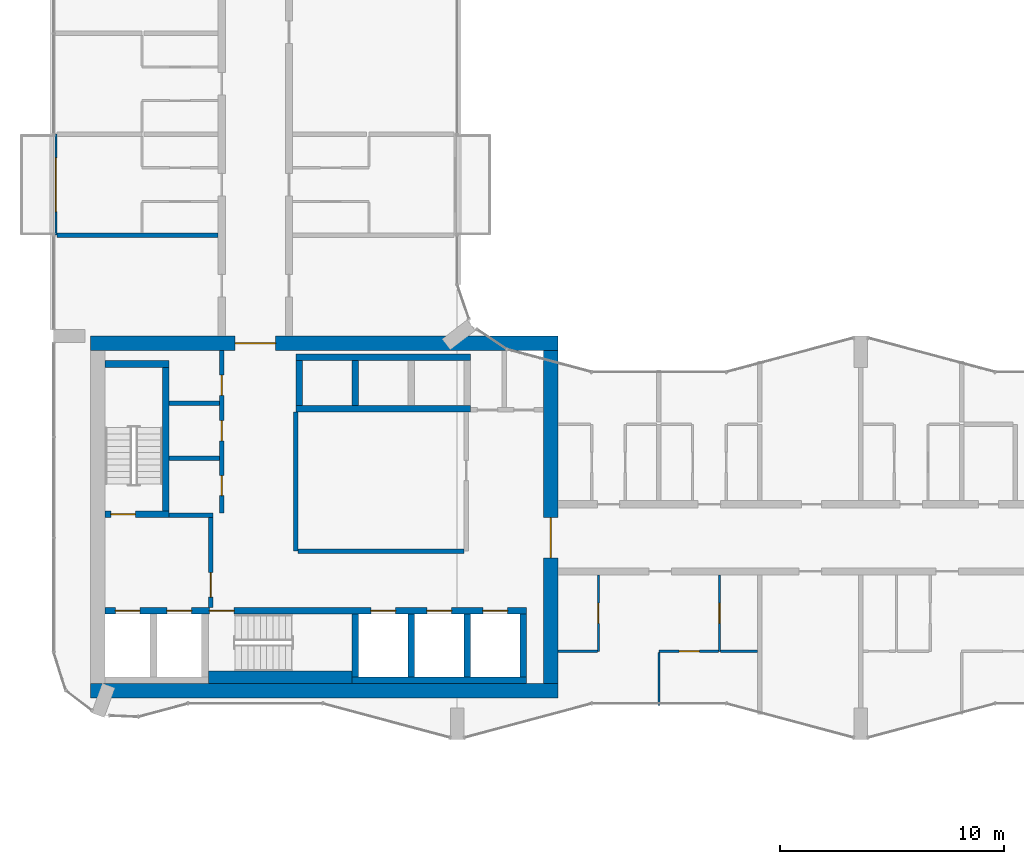
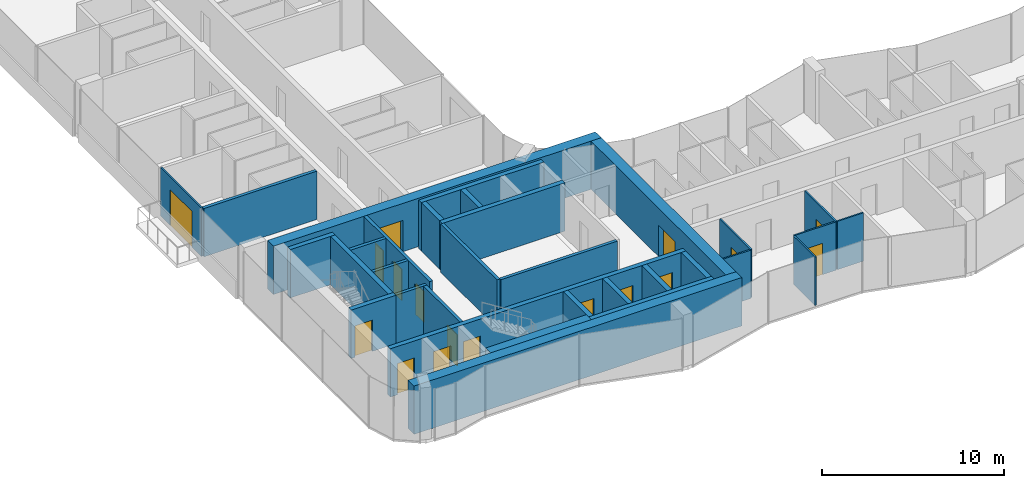
# One storey, part 13 of 22: 32 walls, 17 doors, 17 openings.
"""IFC4 building model written with IfcOpenShell, lengths in metres."""

import ifcopenshell
import ifcopenshell.guid

model = None  # the IFC model being written
_history = None  # IfcOwnerHistory: only IFC2X3 demands one
_inside = {}  # id of a spatial element -> (the spatial element, [elements in it])
_under = {}  # id of a project, library or spatial element -> (it, [spatial elements below it])
_declared = {}  # id of a project -> (the project, [libraries it declares])
_typed = {}  # id of a type object -> (the type object, [elements of that type])
_made_of = {}  # id of a material, layer set ... -> (it, [elements and type objects made of it])


def new_model(schema):
    """Start an empty IFC model of exactly this schema.

    Asked for "IFC4X3", IfcOpenShell would pick the latest addendum, in which some entities
    have other attributes; the version numbers below select the first issue.
    IFC2X3 requires an IfcOwnerHistory on every rooted entity: one is made here for all.
    """
    global model, _history
    if schema == "IFC4X3":
        model = ifcopenshell.file(schema_version=(4, 3, 0, 0))
    else:
        model = ifcopenshell.file(schema=schema)
    _inside.clear()
    _under.clear()
    _declared.clear()
    _typed.clear()
    _made_of.clear()
    _history = None
    if model.schema == "IFC2X3":
        org = make("IfcOrganization", Name="unknown")
        user = make(
            "IfcPersonAndOrganization",
            ThePerson=make("IfcPerson", FamilyName="unknown"),
            TheOrganization=org,
        )
        app = make(
            "IfcApplication",
            ApplicationDeveloper=org,
            Version="unknown",
            ApplicationFullName="unknown",
            ApplicationIdentifier="unknown",
        )
        _history = make(
            "IfcOwnerHistory",
            OwningUser=user,
            OwningApplication=app,
            ChangeAction="ADDED",
            CreationDate=0,
        )
    return model


def make(cls, **values):
    """One entity of the class cls with the attributes given. An attribute that is None is left unset."""
    return model.create_entity(
        cls, **{name: value for name, value in values.items() if value is not None}
    )


def rooted(cls, **values):
    """An entity with a GlobalId (a new one), such as an element, a storey or a relation."""
    return make(cls, GlobalId=ifcopenshell.guid.new(), OwnerHistory=_history, **values)


def si_unit(unit_type, name, prefix=None):
    """IfcSIUnit, for example si_unit("LENGTHUNIT", "METRE", prefix="MILLI")."""
    return make("IfcSIUnit", UnitType=unit_type, Prefix=prefix, Name=name)


def assignment(units):
    """IfcUnitAssignment: the units of a project."""
    return None if units is None else make("IfcUnitAssignment", Units=units)


def point(xyz):
    """IfcCartesianPoint."""
    return None if xyz is None else make("IfcCartesianPoint", Coordinates=xyz)


def direction(xyz):
    """IfcDirection."""
    return None if xyz is None else make("IfcDirection", DirectionRatios=xyz)


def frame(location, z_axis=None, x_axis=None):
    """IfcAxis2Placement3D, a coordinate frame: its origin and axes. An axis left out is left unset."""
    return make(
        "IfcAxis2Placement3D",
        Location=point(location),
        Axis=direction(z_axis),
        RefDirection=direction(x_axis),
    )


def frame_2d(location, x_axis=None):
    """IfcAxis2Placement2D, a coordinate frame in the plane: its origin and x axis."""
    return make(
        "IfcAxis2Placement2D", Location=point(location), RefDirection=direction(x_axis)
    )


def origin():
    """The frame at (0, 0, 0) with its axes left unset."""
    return frame((0.0, 0.0, 0.0))


def place(relative_to, where):
    """IfcLocalPlacement: puts the frame where relative to a parent placement (None: the world)."""
    return make(
        "IfcLocalPlacement", PlacementRelTo=relative_to, RelativePlacement=where
    )


def context(
    kind, dimensions, precision=None, world=None, true_north=None, identifier=None
):
    """IfcGeometricRepresentationContext, for example the 3D "Model" context."""
    return make(
        "IfcGeometricRepresentationContext",
        ContextIdentifier=identifier,
        ContextType=kind,
        CoordinateSpaceDimension=dimensions,
        Precision=precision,
        WorldCoordinateSystem=world,
        TrueNorth=true_north,
    )


def subcontext(parent, identifier, kind, view, scale=None):
    """IfcGeometricRepresentationSubContext, for example "Body" below "Model"."""
    return make(
        "IfcGeometricRepresentationSubContext",
        ContextIdentifier=identifier,
        ContextType=kind,
        ParentContext=parent,
        TargetScale=scale,
        TargetView=view,
    )


def project(units=None, contexts=None):
    """IfcProject with its units and contexts."""
    return rooted(
        "IfcProject",
        Name="project",
        RepresentationContexts=contexts,
        UnitsInContext=assignment(units),
    )


def spatial(cls, under=None, at=None, **own):
    """A site, building, storey or space (cls), placed at a placement, below another one or the project."""
    s = rooted(cls, ObjectPlacement=at, **own)
    if under is not None:
        _under.setdefault(under.id(), (under, []))[1].append(s)
    return s


def profile(cls, at=None, kind="AREA", **sizes):
    """A parametric profile (cls). Its sizes go by their IFC names, for example OverallWidth=200.0."""
    return make(cls, ProfileType=kind, Position=at, **sizes)


def rectangle(**sizes):
    """IfcRectangleProfileDef."""
    return profile("IfcRectangleProfileDef", **sizes)


def extrude(swept, where, along, depth):
    """IfcExtrudedAreaSolid: the profile swept, set in the frame where, extruded along a direction by depth."""
    return make(
        "IfcExtrudedAreaSolid",
        SweptArea=swept,
        Position=where,
        ExtrudedDirection=direction(along),
        Depth=depth,
    )


def shape(context_of_items, identifier, shape_type, items):
    """IfcShapeRepresentation: the items that make up one representation, for example the "Body"."""
    return make(
        "IfcShapeRepresentation",
        ContextOfItems=context_of_items,
        RepresentationIdentifier=identifier,
        RepresentationType=shape_type,
        Items=items,
    )


def material(Name=None, Category=None):
    """IfcMaterial."""
    return make("IfcMaterial", Name=Name, Category=Category)


def layer(
    of_material, thickness, ventilated=None, Name=None, Category=None, Priority=None
):
    """IfcMaterialLayer: one layer of a wall or slab, of a material (None: an air gap)."""
    return make(
        "IfcMaterialLayer",
        Material=of_material,
        LayerThickness=thickness,
        IsVentilated=ventilated,
        Name=Name,
        Category=Category,
        Priority=Priority,
    )


def layer_set(layers, Name=None):
    """IfcMaterialLayerSet."""
    return make("IfcMaterialLayerSet", MaterialLayers=layers, LayerSetName=Name)


def made_of(thing, what):
    """Note that an element or type object is made of a material, layer set ...; save() writes the relation."""
    if what is not None:
        _made_of.setdefault(what.id(), (what, []))[1].append(thing)
    return thing


def type_object(cls, material=None, **own):
    """A type object (cls), such as IfcWallType, which elements share."""
    return made_of(rooted(cls, **own), material)


def element(
    cls,
    number,
    at=None,
    inside=None,
    cuts=None,
    type_object=None,
    material=None,
    context=None,
    identifier="Body",
    shape_type=None,
    held_by="IfcProductDefinitionShape",
    body=None,
    shapes=None,
    **own,
):
    """One element of the class cls, such as IfcWall. Its Tag is "e" and its number.

    at: its placement. inside: the storey or other place that contains it. cuts: it is an
    opening in that element (IfcRelVoidsElement). A single representation is given by context,
    identifier, shape_type and body (its items); several are given by shapes. held_by: the class
    of the entity that holds the representations. save() writes the other relations.
    """
    e = rooted(cls, Tag="e%d" % number, ObjectPlacement=at, **own)
    if body is not None:
        shapes = [shape(context, identifier, shape_type, body)]
    if shapes is not None:
        e.Representation = make(held_by, Representations=shapes)
    if inside is not None:
        _inside.setdefault(inside.id(), (inside, []))[1].append(e)
    if cuts is not None:
        rooted(
            "IfcRelVoidsElement", RelatingBuildingElement=cuts, RelatedOpeningElement=e
        )
    if type_object is not None:
        _typed.setdefault(type_object.id(), (type_object, []))[1].append(e)
    return made_of(e, material)


def fill(opening, filler):
    """IfcRelFillsElement: the door or window that sits in an opening."""
    return rooted(
        "IfcRelFillsElement",
        RelatingOpeningElement=opening,
        RelatedBuildingElement=filler,
    )


def aggregate(whole, parts):
    """IfcRelAggregates: a whole, such as a stair, and the parts it consists of."""
    return rooted("IfcRelAggregates", RelatingObject=whole, RelatedObjects=parts)


def save(model, path):
    """Write the relations noted so far, then the file.

    IfcRelAggregates (storeys below a building ...), IfcRelContainedInSpatialStructure (elements
    in a storey), IfcRelDefinesByType, IfcRelAssociatesMaterial and IfcRelDeclares: one each for
    every whole, place, type object, material and project.
    """
    for whole, parts in _under.values():
        aggregate(whole, parts)
    for where, things in _inside.values():
        rooted(
            "IfcRelContainedInSpatialStructure",
            RelatedElements=things,
            RelatingStructure=where,
        )
    for kind, things in _typed.values():
        rooted("IfcRelDefinesByType", RelatedObjects=things, RelatingType=kind)
    for what, things in _made_of.values():
        rooted("IfcRelAssociatesMaterial", RelatedObjects=things, RelatingMaterial=what)
    for by, libraries in _declared.values():
        rooted("IfcRelDeclares", RelatingContext=by, RelatedDefinitions=libraries)
    model.write(path)


model = new_model("IFC4")

# Units and contexts
model_context = context("Model", 3, precision=1e-05, world=origin(), true_north=direction((0.0, 1.0)))
body_context = subcontext(model_context, "Body", "Model", "MODEL_VIEW")
ifc_project = project(units=[si_unit("LENGTHUNIT", "METRE"), si_unit("AREAUNIT", "SQUARE_METRE"), si_unit("VOLUMEUNIT", "CUBIC_METRE"), si_unit("PLANEANGLEUNIT", "RADIAN"), si_unit("MASSUNIT", "GRAM", prefix="KILO")], contexts=[model_context])

# Site, building, storey
site_placement = place(None, origin())
site = spatial("IfcSite", under=ifc_project, at=site_placement, CompositionType="ELEMENT")
building_placement = place(site_placement, origin())
building = spatial("IfcBuilding", under=site, at=building_placement, Name="Plateau Cross Towers", CompositionType="ELEMENT")
storey_placement = place(building_placement, frame((0.0, 0.0, 106.300048828125)))
storey = spatial("IfcBuildingStorey", under=building, at=storey_placement, Name="L27", CompositionType="ELEMENT", Elevation=106.300048828125)

# Wall, opening, door
ifc_material_1 = material(Name="Aluminium framed glazing", Category="aluminium")
ifc_layer_1 = layer(ifc_material_1, 0.10009765625)
ifc_layer_set_1 = layer_set([ifc_layer_1], Name="Aluminium framed glazing")
wall_type_1 = type_object("IfcWallType", Name="Balcony screen wall 100", PredefinedType="STANDARD", material=ifc_layer_set_1)
wall_1_placement = place(storey_placement, frame((0.10009765625, 22.5, 0.0), z_axis=(0.0, 0.0, 1.0), x_axis=(0.0, 1.0, 0.0)))
wall_1 = element("IfcWall", 1, at=wall_1_placement, inside=storey, type_object=wall_type_1, Name="Balcony screen wall A-BAL-L27-01", PredefinedType="STANDARD", context=body_context, shape_type="SweptSolid", body=[
    extrude(rectangle(XDim=4.5, YDim=0.10009765625, at=frame_2d((2.25, 0.0))), origin(), (0.0, 0.0, 1.0), 3.25),
])
opening_1_placement = place(wall_1_placement, frame((1.050048828125, 0.0, 0.0)))
opening_1 = element("IfcOpeningElement", 2, at=opening_1_placement, cuts=wall_1, Name="Opening D-B24", PredefinedType="OPENING", context=body_context, shape_type="SweptSolid", body=[
    extrude(rectangle(XDim=2.39990234375, YDim=2.39990234375, at=frame_2d((1.199951171875, 1.199951171875))), frame((0.0, 0.06005859375, 0.0), z_axis=(0.0, -1.0, 0.0), x_axis=(1.0, 0.0, 0.0)), (0.0, 0.0, 1.0), 0.1201171875),
])
ifc_material_2 = material(Name="Aluminium frame, double glazing", Category="aluminium")
door_type_1 = type_object("IfcDoorType", Name="Balcony sliding door 2400", OperationType="NOTDEFINED", PredefinedType="DOOR", material=ifc_material_2)
door_1_placement = place(opening_1_placement, origin())
door_1 = element("IfcDoor", 3, at=door_1_placement, inside=storey, type_object=door_type_1, Name="Balcony door A-BAL-L27-01", OperationType="SINGLE_SWING_LEFT", OverallHeight=2.39990234375, OverallWidth=2.39990234375, PredefinedType="DOOR", context=body_context, shape_type="SweptSolid", body=[
    extrude(rectangle(XDim=2.39990234375, YDim=2.39990234375, at=frame_2d((1.199951171875, 1.199951171875))), frame((0.0, 0.02490234375, 0.0), z_axis=(0.0, -1.0, 0.0), x_axis=(1.0, 0.0, 0.0)), (0.0, 0.0, 1.0), 0.050048828125),
])
fill(opening_1, door_1)

ifc_material_3 = material(Name="Concrete block, plastered both sides", Category="concrete")
ifc_layer_2 = layer(ifc_material_3, 0.199951171875)
ifc_layer_set_2 = layer_set([ifc_layer_2], Name="Concrete block, plastered both sides")
wall_type_2 = type_object("IfcWallType", Name="Core partition 200", PredefinedType="PARTITIONING", material=ifc_layer_set_2)
wall_2_placement = place(storey_placement, frame((7.0, 5.89990234375, 0.0), z_axis=(0.0, 0.0, 1.0), x_axis=(0.0, 1.0, 0.0)))
wall_2 = element("IfcWall", 4, at=wall_2_placement, inside=storey, type_object=wall_type_2, Name="Core partition", PredefinedType="PARTITIONING", context=body_context, shape_type="SweptSolid", body=[
    extrude(rectangle(XDim=4.0, YDim=0.199951171875, at=frame_2d((2.0, 0.0))), origin(), (0.0, 0.0, 1.0), 3.25),
])
opening_2_placement = place(wall_2_placement, frame((0.449951171875, 0.0, 0.0)))
opening_2 = element("IfcOpeningElement", 5, at=opening_2_placement, cuts=wall_2, Name="Opening FFD", PredefinedType="OPENING", context=body_context, shape_type="SweptSolid", body=[
    extrude(rectangle(XDim=1.10009765625, YDim=2.10009765625, at=frame_2d((0.550048828125, 1.050048828125))), frame((0.0, 0.10986328125, 0.0), z_axis=(0.0, -1.0, 0.0), x_axis=(1.0, 0.0, 0.0)), (0.0, 0.0, 1.0), 0.219970703125),
])
ifc_material_4 = material(Name="Steel, fire-resisting leaf", Category="steel")
door_type_2 = type_object("IfcDoorType", Name="Firefighting lobby door 1100", OperationType="NOTDEFINED", PredefinedType="DOOR", material=ifc_material_4)
door_2_placement = place(opening_2_placement, origin())
door_2 = element("IfcDoor", 6, at=door_2_placement, inside=storey, type_object=door_type_2, Name="Firefighting lobby door FFD", OperationType="SINGLE_SWING_LEFT", OverallHeight=2.10009765625, OverallWidth=1.10009765625, PredefinedType="DOOR", context=body_context, shape_type="SweptSolid", body=[
    extrude(rectangle(XDim=1.10009765625, YDim=2.10009765625, at=frame_2d((0.550048828125, 1.050048828125))), frame((0.0, 0.02490234375, 0.0), z_axis=(0.0, -1.0, 0.0), x_axis=(1.0, 0.0, 0.0)), (0.0, 0.0, 1.0), 0.050048828125),
])
fill(opening_2, door_2)

# Walls
wall_3_placement = place(storey_placement, frame((5.14990234375, 10.0, 0.0), z_axis=(0.0, 0.0, 1.0), x_axis=(1.0, 0.0, 0.0)))
element("IfcWall", 7, at=wall_3_placement, inside=storey, type_object=wall_type_2, Name="Core partition", PredefinedType="PARTITIONING", context=body_context, shape_type="SweptSolid", body=[
    extrude(rectangle(XDim=1.9501953125, YDim=0.199951171875, at=frame_2d((0.97509765625, 0.0))), origin(), (0.0, 0.0, 1.0), 3.25),
])
wall_4_placement = place(storey_placement, frame((10.800048828125, 8.39990234375, 0.0), z_axis=(0.0, 0.0, 1.0), x_axis=(0.0, 1.0, 0.0)))
element("IfcWall", 8, at=wall_4_placement, inside=storey, type_object=wall_type_2, Name="Core partition", PredefinedType="PARTITIONING", context=body_context, shape_type="SweptSolid", body=[
    extrude(rectangle(XDim=6.2001953125, YDim=0.199951171875, at=frame_2d((3.10009765625, 0.0))), origin(), (0.0, 0.0, 1.0), 3.25),
])
wall_5_placement = place(storey_placement, frame((10.89990234375, 8.39990234375, 0.0), z_axis=(0.0, 0.0, 1.0), x_axis=(1.0, 0.0, 0.0)))
element("IfcWall", 9, at=wall_5_placement, inside=storey, type_object=wall_type_2, Name="Core partition", PredefinedType="PARTITIONING", context=body_context, shape_type="SweptSolid", body=[
    extrude(rectangle(XDim=7.400146484375, YDim=0.199951171875, at=frame_2d((3.7001953125, 0.0))), origin(), (0.0, 0.0, 1.0), 3.25),
])

# Wall, openings, doors
wall_6_placement = place(storey_placement, frame((7.5, 10.10009765625, 0.0), z_axis=(0.0, 0.0, 1.0), x_axis=(0.0, 1.0, 0.0)))
wall_6 = element("IfcWall", 10, at=wall_6_placement, inside=storey, type_object=wall_type_2, Name="Core partition", PredefinedType="PARTITIONING", context=body_context, shape_type="SweptSolid", body=[
    extrude(rectangle(XDim=7.25, YDim=0.199951171875, at=frame_2d((3.625, 0.0))), origin(), (0.0, 0.0, 1.0), 3.25),
])
opening_3_placement = place(wall_6_placement, frame((0.77490234375, 0.0, 0.0)))
opening_3 = element("IfcOpeningElement", 11, at=opening_3_placement, cuts=wall_6, Name="Opening RD1", PredefinedType="OPENING", context=body_context, shape_type="SweptSolid", body=[
    extrude(rectangle(XDim=0.89990234375, YDim=2.10009765625, at=frame_2d((0.449951171875, 1.050048828125))), frame((0.0, 0.10986328125, 0.0), z_axis=(0.0, -1.0, 0.0), x_axis=(1.0, 0.0, 0.0)), (0.0, 0.0, 1.0), 0.219970703125),
])
opening_4_placement = place(wall_6_placement, frame((3.22509765625, 0.0, 0.0)))
opening_4 = element("IfcOpeningElement", 12, at=opening_4_placement, cuts=wall_6, Name="Opening RD1", PredefinedType="OPENING", context=body_context, shape_type="SweptSolid", body=[
    extrude(rectangle(XDim=0.89990234375, YDim=2.10009765625, at=frame_2d((0.449951171875, 1.050048828125))), frame((0.0, 0.10986328125, 0.0), z_axis=(0.0, -1.0, 0.0), x_axis=(1.0, 0.0, 0.0)), (0.0, 0.0, 1.0), 0.219970703125),
])
opening_5_placement = place(wall_6_placement, frame((5.25, 0.0, 0.0)))
opening_5 = element("IfcOpeningElement", 13, at=opening_5_placement, cuts=wall_6, Name="Opening RD1", PredefinedType="OPENING", context=body_context, shape_type="SweptSolid", body=[
    extrude(rectangle(XDim=0.89990234375, YDim=2.10009765625, at=frame_2d((0.449951171875, 1.050048828125))), frame((0.0, 0.10986328125, 0.0), z_axis=(0.0, -1.0, 0.0), x_axis=(1.0, 0.0, 0.0)), (0.0, 0.0, 1.0), 0.219970703125),
])
ifc_material_5 = material(Name="Timber, fire-resisting leaf", Category="wood")
door_type_3 = type_object("IfcDoorType", Name="Core service door 900", OperationType="NOTDEFINED", PredefinedType="DOOR", material=ifc_material_5)
door_3_placement = place(opening_3_placement, origin())
door_3 = element("IfcDoor", 14, at=door_3_placement, inside=storey, type_object=door_type_3, Name="Core service door RD1", OperationType="SINGLE_SWING_RIGHT", OverallHeight=2.10009765625, OverallWidth=0.89990234375, PredefinedType="DOOR", context=body_context, shape_type="SweptSolid", body=[
    extrude(rectangle(XDim=0.89990234375, YDim=2.10009765625, at=frame_2d((0.449951171875, 1.050048828125))), frame((0.0, 0.02490234375, 0.0), z_axis=(0.0, -1.0, 0.0), x_axis=(1.0, 0.0, 0.0)), (0.0, 0.0, 1.0), 0.050048828125),
])
fill(opening_3, door_3)
door_4_placement = place(opening_4_placement, origin())
door_4 = element("IfcDoor", 15, at=door_4_placement, inside=storey, type_object=door_type_3, Name="Core service door RD1", OperationType="SINGLE_SWING_RIGHT", OverallHeight=2.10009765625, OverallWidth=0.89990234375, PredefinedType="DOOR", context=body_context, shape_type="SweptSolid", body=[
    extrude(rectangle(XDim=0.89990234375, YDim=2.10009765625, at=frame_2d((0.449951171875, 1.050048828125))), frame((0.0, 0.02490234375, 0.0), z_axis=(0.0, -1.0, 0.0), x_axis=(1.0, 0.0, 0.0)), (0.0, 0.0, 1.0), 0.050048828125),
])
fill(opening_4, door_4)
door_5_placement = place(opening_5_placement, origin())
door_5 = element("IfcDoor", 16, at=door_5_placement, inside=storey, type_object=door_type_3, Name="Core service door RD1", OperationType="SINGLE_SWING_RIGHT", OverallHeight=2.10009765625, OverallWidth=0.89990234375, PredefinedType="DOOR", context=body_context, shape_type="SweptSolid", body=[
    extrude(rectangle(XDim=0.89990234375, YDim=2.10009765625, at=frame_2d((0.449951171875, 1.050048828125))), frame((0.0, 0.02490234375, 0.0), z_axis=(0.0, -1.0, 0.0), x_axis=(1.0, 0.0, 0.0)), (0.0, 0.0, 1.0), 0.050048828125),
])
fill(opening_5, door_5)

# Walls
for number, where, z_axis, x_axis, name in (
    (17, (5.14990234375, 12.550048828125, 0.0), (0.0, 0.0, 1.0), (1.0, 0.0, 0.0), "Core partition"),
    (18, (5.14990234375, 15.0, 0.0), (0.0, 0.0, 1.0), (1.0, 0.0, 0.0), "Core partition"),
):
    element("IfcWall", number, at=place(storey_placement, frame(where, z_axis=z_axis, x_axis=x_axis)), inside=storey, type_object=wall_type_2, Name=name, PredefinedType="PARTITIONING", context=body_context, shape_type="SweptSolid", body=[
        extrude(rectangle(XDim=2.25, YDim=0.199951171875, at=frame_2d((1.125, 0.0))), origin(), (0.0, 0.0, 1.0), 3.25),
    ])
ifc_material_6 = material(Name="Concrete C60/75", Category="concrete")
ifc_layer_3 = layer(ifc_material_6, 0.300048828125)
ifc_layer_set_3 = layer_set([ifc_layer_3], Name="Concrete C60/75")
wall_type_3 = type_object("IfcWallType", Name="Core shaft wall 300", PredefinedType="SHEAR", material=ifc_layer_set_3)
wall_7_placement = place(storey_placement, frame((13.300048828125, 2.64990234375, 0.0), z_axis=(0.0, 0.0, 1.0), x_axis=(1.0, 0.0, 0.0)))
element("IfcWall", 19, at=wall_7_placement, inside=storey, type_object=wall_type_3, Name="A-sb-back3@L27", PredefinedType="SHEAR", context=body_context, shape_type="SweptSolid", body=[
    extrude(rectangle(XDim=7.800048828125, YDim=0.300048828125, at=frame_2d((3.89990234375, 0.0))), origin(), (0.0, 0.0, 1.0), 3.25),
])
for number, where, z_axis, x_axis, name in (
    (20, (13.449951171875, 2.800048828125, 0.0), (0.0, 0.0, 1.0), (0.0, 1.0, 0.0), "A-sb-v3@L27"),
    (21, (15.949951171875, 2.800048828125, 0.0), (0.0, 0.0, 1.0), (0.0, 1.0, 0.0), "A-sb-v4@L27"),
    (22, (18.449951171875, 2.800048828125, 0.0), (0.0, 0.0, 1.0), (0.0, 1.0, 0.0), "A-sb-v5@L27"),
    (23, (20.949951171875, 2.800048828125, 0.0), (0.0, 0.0, 1.0), (0.0, 1.0, 0.0), "A-sb-v6@L27"),
):
    element("IfcWall", number, at=place(storey_placement, frame(where, z_axis=z_axis, x_axis=x_axis)), inside=storey, type_object=wall_type_3, Name=name, PredefinedType="SHEAR", context=body_context, shape_type="SweptSolid", body=[
        extrude(rectangle(XDim=2.800048828125, YDim=0.300048828125, at=frame_2d((1.39990234375, 0.0))), origin(), (0.0, 0.0, 1.0), 3.25),
    ])

# Wall, openings, doors
wall_8_placement = place(storey_placement, frame((2.300048828125, 5.75, 0.0), z_axis=(0.0, 0.0, 1.0), x_axis=(1.0, 0.0, 0.0)))
wall_8 = element("IfcWall", 24, at=wall_8_placement, inside=storey, type_object=wall_type_3, Name="A-sb-front@L27", PredefinedType="SHEAR", context=body_context, shape_type="SweptSolid", body=[
    extrude(rectangle(XDim=18.800048828125, YDim=0.300048828125, at=frame_2d((9.39990234375, 0.0))), origin(), (0.0, 0.0, 1.0), 3.25),
])
opening_6_placement = place(wall_8_placement, frame((4.64990234375, 0.0, 0.0)))
opening_6 = element("IfcOpeningElement", 25, at=opening_6_placement, cuts=wall_8, Name="Opening SD", PredefinedType="OPENING", context=body_context, shape_type="SweptSolid", body=[
    extrude(rectangle(XDim=1.10009765625, YDim=2.10009765625, at=frame_2d((0.550048828125, 1.050048828125))), frame((0.0, 0.159912109375, 0.0), z_axis=(0.0, -1.0, 0.0), x_axis=(1.0, 0.0, 0.0)), (0.0, 0.0, 1.0), 0.320068359375),
])
opening_7_placement = place(wall_8_placement, frame((0.449951171875, 0.0, 0.0)))
opening_7 = element("IfcOpeningElement", 26, at=opening_7_placement, cuts=wall_8, Name="Opening LD", PredefinedType="OPENING", context=body_context, shape_type="SweptSolid", body=[
    extrude(rectangle(XDim=1.10009765625, YDim=2.10009765625, at=frame_2d((0.550048828125, 1.050048828125))), frame((0.0, 0.159912109375, 0.0), z_axis=(0.0, -1.0, 0.0), x_axis=(1.0, 0.0, 0.0)), (0.0, 0.0, 1.0), 0.320068359375),
])
opening_8_placement = place(wall_8_placement, frame((2.75, 0.0, 0.0)))
opening_8 = element("IfcOpeningElement", 27, at=opening_8_placement, cuts=wall_8, Name="Opening LD", PredefinedType="OPENING", context=body_context, shape_type="SweptSolid", body=[
    extrude(rectangle(XDim=1.10009765625, YDim=2.10009765625, at=frame_2d((0.550048828125, 1.050048828125))), frame((0.0, 0.159912109375, 0.0), z_axis=(0.0, -1.0, 0.0), x_axis=(1.0, 0.0, 0.0)), (0.0, 0.0, 1.0), 0.320068359375),
])
opening_9_placement = place(wall_8_placement, frame((11.85009765625, 0.0, 0.0)))
opening_9 = element("IfcOpeningElement", 28, at=opening_9_placement, cuts=wall_8, Name="Opening LD", PredefinedType="OPENING", context=body_context, shape_type="SweptSolid", body=[
    extrude(rectangle(XDim=1.10009765625, YDim=2.10009765625, at=frame_2d((0.550048828125, 1.050048828125))), frame((0.0, 0.159912109375, 0.0), z_axis=(0.0, -1.0, 0.0), x_axis=(1.0, 0.0, 0.0)), (0.0, 0.0, 1.0), 0.320068359375),
])
opening_10_placement = place(wall_8_placement, frame((14.35009765625, 0.0, 0.0)))
opening_10 = element("IfcOpeningElement", 29, at=opening_10_placement, cuts=wall_8, Name="Opening LD", PredefinedType="OPENING", context=body_context, shape_type="SweptSolid", body=[
    extrude(rectangle(XDim=1.10009765625, YDim=2.10009765625, at=frame_2d((0.550048828125, 1.050048828125))), frame((0.0, 0.159912109375, 0.0), z_axis=(0.0, -1.0, 0.0), x_axis=(1.0, 0.0, 0.0)), (0.0, 0.0, 1.0), 0.320068359375),
])
opening_11_placement = place(wall_8_placement, frame((16.85009765625, 0.0, 0.0)))
opening_11 = element("IfcOpeningElement", 30, at=opening_11_placement, cuts=wall_8, Name="Opening LD", PredefinedType="OPENING", context=body_context, shape_type="SweptSolid", body=[
    extrude(rectangle(XDim=1.10009765625, YDim=2.10009765625, at=frame_2d((0.550048828125, 1.050048828125))), frame((0.0, 0.159912109375, 0.0), z_axis=(0.0, -1.0, 0.0), x_axis=(1.0, 0.0, 0.0)), (0.0, 0.0, 1.0), 0.320068359375),
])
ifc_material_7 = material(Name="Stainless steel, fire-resisting sliding leaves", Category="steel")
door_type_4 = type_object("IfcDoorType", Name="Lift landing door 1100", OperationType="NOTDEFINED", PredefinedType="DOOR", material=ifc_material_7)
door_6_placement = place(opening_7_placement, origin())
door_6 = element("IfcDoor", 31, at=door_6_placement, inside=storey, type_object=door_type_4, Name="Lift landing door LD", OperationType="DOUBLE_DOOR_SLIDING", OverallHeight=2.10009765625, OverallWidth=1.10009765625, PredefinedType="DOOR", context=body_context, shape_type="SweptSolid", body=[
    extrude(rectangle(XDim=1.10009765625, YDim=2.10009765625, at=frame_2d((0.550048828125, 1.050048828125))), frame((0.0, 0.02490234375, 0.0), z_axis=(0.0, -1.0, 0.0), x_axis=(1.0, 0.0, 0.0)), (0.0, 0.0, 1.0), 0.050048828125),
])
fill(opening_7, door_6)
door_7_placement = place(opening_8_placement, origin())
door_7 = element("IfcDoor", 32, at=door_7_placement, inside=storey, type_object=door_type_4, Name="Lift landing door LD", OperationType="DOUBLE_DOOR_SLIDING", OverallHeight=2.10009765625, OverallWidth=1.10009765625, PredefinedType="DOOR", context=body_context, shape_type="SweptSolid", body=[
    extrude(rectangle(XDim=1.10009765625, YDim=2.10009765625, at=frame_2d((0.550048828125, 1.050048828125))), frame((0.0, 0.02490234375, 0.0), z_axis=(0.0, -1.0, 0.0), x_axis=(1.0, 0.0, 0.0)), (0.0, 0.0, 1.0), 0.050048828125),
])
fill(opening_8, door_7)
door_8_placement = place(opening_9_placement, origin())
door_8 = element("IfcDoor", 33, at=door_8_placement, inside=storey, type_object=door_type_4, Name="Lift landing door LD", OperationType="DOUBLE_DOOR_SLIDING", OverallHeight=2.10009765625, OverallWidth=1.10009765625, PredefinedType="DOOR", context=body_context, shape_type="SweptSolid", body=[
    extrude(rectangle(XDim=1.10009765625, YDim=2.10009765625, at=frame_2d((0.550048828125, 1.050048828125))), frame((0.0, 0.02490234375, 0.0), z_axis=(0.0, -1.0, 0.0), x_axis=(1.0, 0.0, 0.0)), (0.0, 0.0, 1.0), 0.050048828125),
])
fill(opening_9, door_8)
door_9_placement = place(opening_10_placement, origin())
door_9 = element("IfcDoor", 34, at=door_9_placement, inside=storey, type_object=door_type_4, Name="Lift landing door LD", OperationType="DOUBLE_DOOR_SLIDING", OverallHeight=2.10009765625, OverallWidth=1.10009765625, PredefinedType="DOOR", context=body_context, shape_type="SweptSolid", body=[
    extrude(rectangle(XDim=1.10009765625, YDim=2.10009765625, at=frame_2d((0.550048828125, 1.050048828125))), frame((0.0, 0.02490234375, 0.0), z_axis=(0.0, -1.0, 0.0), x_axis=(1.0, 0.0, 0.0)), (0.0, 0.0, 1.0), 0.050048828125),
])
fill(opening_10, door_9)
door_10_placement = place(opening_11_placement, origin())
door_10 = element("IfcDoor", 35, at=door_10_placement, inside=storey, type_object=door_type_4, Name="Lift landing door LD", OperationType="DOUBLE_DOOR_SLIDING", OverallHeight=2.10009765625, OverallWidth=1.10009765625, PredefinedType="DOOR", context=body_context, shape_type="SweptSolid", body=[
    extrude(rectangle(XDim=1.10009765625, YDim=2.10009765625, at=frame_2d((0.550048828125, 1.050048828125))), frame((0.0, 0.02490234375, 0.0), z_axis=(0.0, -1.0, 0.0), x_axis=(1.0, 0.0, 0.0)), (0.0, 0.0, 1.0), 0.050048828125),
])
fill(opening_11, door_10)
door_type_5 = type_object("IfcDoorType", Name="Stair door 1100", OperationType="NOTDEFINED", PredefinedType="DOOR", material=ifc_material_4)
door_11_placement = place(opening_6_placement, origin())
door_11 = element("IfcDoor", 36, at=door_11_placement, inside=storey, type_object=door_type_5, Name="Stair door SD", OperationType="SINGLE_SWING_LEFT", OverallHeight=2.10009765625, OverallWidth=1.10009765625, PredefinedType="DOOR", context=body_context, shape_type="SweptSolid", body=[
    extrude(rectangle(XDim=1.10009765625, YDim=2.10009765625, at=frame_2d((0.550048828125, 1.050048828125))), frame((0.0, 0.02490234375, 0.0), z_axis=(0.0, -1.0, 0.0), x_axis=(1.0, 0.0, 0.0)), (0.0, 0.0, 1.0), 0.050048828125),
])
fill(opening_6, door_11)

# Wall, opening, door
wall_9_placement = place(storey_placement, frame((2.300048828125, 10.050048828125, 0.0), z_axis=(0.0, 0.0, 1.0), x_axis=(1.0, 0.0, 0.0)))
wall_9 = element("IfcWall", 37, at=wall_9_placement, inside=storey, type_object=wall_type_3, Name="A-st1-S@L27", PredefinedType="SHEAR", context=body_context, shape_type="SweptSolid", body=[
    extrude(rectangle(XDim=2.849853515625, YDim=0.300048828125, at=frame_2d((1.4248046875, 0.0))), origin(), (0.0, 0.0, 1.0), 3.25),
])
opening_12_placement = place(wall_9_placement, frame((0.25, 0.0, 0.0)))
opening_12 = element("IfcOpeningElement", 38, at=opening_12_placement, cuts=wall_9, Name="Opening SD", PredefinedType="OPENING", context=body_context, shape_type="SweptSolid", body=[
    extrude(rectangle(XDim=1.10009765625, YDim=2.10009765625, at=frame_2d((0.550048828125, 1.050048828125))), frame((0.0, 0.159912109375, 0.0), z_axis=(0.0, -1.0, 0.0), x_axis=(1.0, 0.0, 0.0)), (0.0, 0.0, 1.0), 0.320068359375),
])
door_12_placement = place(opening_12_placement, origin())
door_12 = element("IfcDoor", 39, at=door_12_placement, inside=storey, type_object=door_type_5, Name="Stair door SD", OperationType="SINGLE_SWING_RIGHT", OverallHeight=2.10009765625, OverallWidth=1.10009765625, PredefinedType="DOOR", context=body_context, shape_type="SweptSolid", body=[
    extrude(rectangle(XDim=1.10009765625, YDim=2.10009765625, at=frame_2d((0.550048828125, 1.050048828125))), frame((0.0, 0.02490234375, 0.0), z_axis=(0.0, -1.0, 0.0), x_axis=(1.0, 0.0, 0.0)), (0.0, 0.0, 1.0), 0.050048828125),
])
fill(opening_12, door_12)

# Walls
wall_10_placement = place(storey_placement, frame((5.0, 10.199951171875, 0.0), z_axis=(0.0, 0.0, 1.0), x_axis=(0.0, 1.0, 0.0)))
element("IfcWall", 40, at=wall_10_placement, inside=storey, type_object=wall_type_3, Name="A-st1-E@L27", PredefinedType="SHEAR", context=body_context, shape_type="SweptSolid", body=[
    extrude(rectangle(XDim=6.400146484375, YDim=0.300048828125, at=frame_2d((3.2001953125, 0.0))), origin(), (0.0, 0.0, 1.0), 3.25),
])
wall_11_placement = place(storey_placement, frame((2.300048828125, 16.75, 0.0), z_axis=(0.0, 0.0, 1.0), x_axis=(1.0, 0.0, 0.0)))
element("IfcWall", 41, at=wall_11_placement, inside=storey, type_object=wall_type_3, Name="A-st1-N@L27", PredefinedType="SHEAR", context=body_context, shape_type="SweptSolid", body=[
    extrude(rectangle(XDim=2.849853515625, YDim=0.300048828125, at=frame_2d((1.4248046875, 0.0))), origin(), (0.0, 0.0, 1.0), 3.25),
])
for number, where, z_axis, x_axis, name in (
    (42, (10.800048828125, 17.050048828125, 0.0), (0.0, 0.0, 1.0), (1.0, 0.0, 0.0), "A-nb-back@L27"),
    (43, (10.800048828125, 14.75, 0.0), (0.0, 0.0, 1.0), (1.0, 0.0, 0.0), "A-nb-front@L27"),
):
    element("IfcWall", number, at=place(storey_placement, frame(where, z_axis=z_axis, x_axis=x_axis)), inside=storey, type_object=wall_type_3, Name=name, PredefinedType="SHEAR", context=body_context, shape_type="SweptSolid", body=[
        extrude(rectangle(XDim=7.800048828125, YDim=0.300048828125, at=frame_2d((3.89990234375, 0.0))), origin(), (0.0, 0.0, 1.0), 3.25),
    ])
for number, where, z_axis, x_axis, name in (
    (44, (10.949951171875, 14.89990234375, 0.0), (0.0, 0.0, 1.0), (0.0, 1.0, 0.0), "A-nb-v1@L27"),
    (45, (13.449951171875, 14.89990234375, 0.0), (0.0, 0.0, 1.0), (0.0, 1.0, 0.0), "A-nb-v2@L27"),
):
    element("IfcWall", number, at=place(storey_placement, frame(where, z_axis=z_axis, x_axis=x_axis)), inside=storey, type_object=wall_type_3, Name=name, PredefinedType="SHEAR", context=body_context, shape_type="SweptSolid", body=[
        extrude(rectangle(XDim=2.0, YDim=0.300048828125, at=frame_2d((1.0, 0.0))), origin(), (0.0, 0.0, 1.0), 3.25),
    ])
ifc_layer_4 = layer(ifc_material_6, 0.550048828125)
ifc_layer_set_4 = layer_set([ifc_layer_4], Name="Concrete C60/75")
wall_type_4 = type_object("IfcWallType", Name="Core shaft wall 550", PredefinedType="SHEAR", material=ifc_layer_set_4)
wall_12_placement = place(storey_placement, frame((6.89990234375, 2.77490234375, 0.0), z_axis=(0.0, 0.0, 1.0), x_axis=(1.0, 0.0, 0.0)))
element("IfcWall", 46, at=wall_12_placement, inside=storey, type_object=wall_type_4, Name="A-sb-back2@L27", PredefinedType="SHEAR", context=body_context, shape_type="SweptSolid", body=[
    extrude(rectangle(XDim=6.400146484375, YDim=0.550048828125, at=frame_2d((3.2001953125, 0.0))), origin(), (0.0, 0.0, 1.0), 3.25),
])
ifc_layer_5 = layer(ifc_material_6, 0.64990234375)
ifc_layer_set_5 = layer_set([ifc_layer_5], Name="Concrete C60/75")
wall_type_5 = type_object("IfcWallType", Name="Core shell wall 650", PredefinedType="SHEAR", material=ifc_layer_set_5)
wall_13_placement = place(storey_placement, frame((1.64990234375, 2.175048828125, 0.0), z_axis=(0.0, 0.0, 1.0), x_axis=(1.0, 0.0, 0.0)))
element("IfcWall", 47, at=wall_13_placement, inside=storey, type_object=wall_type_5, Name="A-core-S@L27", PredefinedType="SHEAR", context=body_context, shape_type="SweptSolid", body=[
    extrude(rectangle(XDim=20.85009765625, YDim=0.64990234375, at=frame_2d((10.425048828125, 0.0))), origin(), (0.0, 0.0, 1.0), 3.25),
])

# Wall, opening, door
wall_14_placement = place(storey_placement, frame((1.64990234375, 17.675048828125, 0.0), z_axis=(0.0, 0.0, 1.0), x_axis=(1.0, 0.0, 0.0)))
wall_14 = element("IfcWall", 48, at=wall_14_placement, inside=storey, type_object=wall_type_5, Name="A-core-N@L27", PredefinedType="SHEAR", context=body_context, shape_type="SweptSolid", body=[
    extrude(rectangle(XDim=20.85009765625, YDim=0.64990234375, at=frame_2d((10.425048828125, 0.0))), origin(), (0.0, 0.0, 1.0), 3.25),
])
opening_13_placement = place(wall_14_placement, frame((6.449951171875, 0.0, 0.0)))
opening_13 = element("IfcOpeningElement", 49, at=opening_13_placement, cuts=wall_14, Name="Opening CD", PredefinedType="OPENING", context=body_context, shape_type="SweptSolid", body=[
    extrude(rectangle(XDim=1.800048828125, YDim=2.10009765625, at=frame_2d((0.89990234375, 1.050048828125))), frame((0.0, 0.3349609375, 0.0), z_axis=(0.0, -1.0, 0.0), x_axis=(1.0, 0.0, 0.0)), (0.0, 0.0, 1.0), 0.669921875),
])
ifc_material_8 = material(Name="Steel, fire-resisting leaves", Category="steel")
door_type_6 = type_object("IfcDoorType", Name="Corridor door pair 1800", OperationType="NOTDEFINED", PredefinedType="DOOR", material=ifc_material_8)
door_13_placement = place(opening_13_placement, origin())
door_13 = element("IfcDoor", 50, at=door_13_placement, inside=storey, type_object=door_type_6, Name="Corridor door pair CD", OperationType="DOUBLE_DOOR_SINGLE_SWING", OverallHeight=2.10009765625, OverallWidth=1.800048828125, PredefinedType="DOOR", context=body_context, shape_type="SweptSolid", body=[
    extrude(rectangle(XDim=1.800048828125, YDim=2.10009765625, at=frame_2d((0.89990234375, 1.050048828125))), frame((0.0, 0.02490234375, 0.0), z_axis=(0.0, -1.0, 0.0), x_axis=(1.0, 0.0, 0.0)), (0.0, 0.0, 1.0), 0.050048828125),
])
fill(opening_13, door_13)

wall_15_placement = place(storey_placement, frame((22.175048828125, 2.5, 0.0), z_axis=(0.0, 0.0, 1.0), x_axis=(0.0, 1.0, 0.0)))
wall_15 = element("IfcWall", 51, at=wall_15_placement, inside=storey, type_object=wall_type_5, Name="A-core-E@L27", PredefinedType="SHEAR", context=body_context, shape_type="SweptSolid", body=[
    extrude(rectangle(XDim=14.85009765625, YDim=0.64990234375, at=frame_2d((7.425048828125, 0.0))), origin(), (0.0, 0.0, 1.0), 3.25),
])
opening_14_placement = place(wall_15_placement, frame((5.60009765625, 0.0, 0.0)))
opening_14 = element("IfcOpeningElement", 52, at=opening_14_placement, cuts=wall_15, Name="Opening CD", PredefinedType="OPENING", context=body_context, shape_type="SweptSolid", body=[
    extrude(rectangle(XDim=1.800048828125, YDim=2.10009765625, at=frame_2d((0.89990234375, 1.050048828125))), frame((0.0, 0.3349609375, 0.0), z_axis=(0.0, -1.0, 0.0), x_axis=(1.0, 0.0, 0.0)), (0.0, 0.0, 1.0), 0.669921875),
])
door_14_placement = place(opening_14_placement, origin())
door_14 = element("IfcDoor", 53, at=door_14_placement, inside=storey, type_object=door_type_6, Name="Corridor door pair CD", OperationType="DOUBLE_DOOR_SINGLE_SWING", OverallHeight=2.10009765625, OverallWidth=1.800048828125, PredefinedType="DOOR", context=body_context, shape_type="SweptSolid", body=[
    extrude(rectangle(XDim=1.800048828125, YDim=2.10009765625, at=frame_2d((0.89990234375, 1.050048828125))), frame((0.0, 0.02490234375, 0.0), z_axis=(0.0, -1.0, 0.0), x_axis=(1.0, 0.0, 0.0)), (0.0, 0.0, 1.0), 0.050048828125),
])
fill(opening_14, door_14)

ifc_material_9 = material(Name="Gypsum board on steel studs", Category="steel")
ifc_layer_6 = layer(ifc_material_9, 0.10009765625)
ifc_layer_set_6 = layer_set([ifc_layer_6], Name="Gypsum board on steel studs")
wall_type_6 = type_object("IfcWallType", Name="Flat partition 100", PredefinedType="PARTITIONING", material=ifc_layer_set_6)
wall_16_placement = place(storey_placement, frame((29.64990234375, 3.9375, 0.0), z_axis=(0.0, 0.0, 1.0), x_axis=(-1.0, 0.0, 0.0)))
wall_16 = element("IfcWall", 54, at=wall_16_placement, inside=storey, type_object=wall_type_6, Name="Partition wall", PredefinedType="PARTITIONING", context=body_context, shape_type="SweptSolid", body=[
    extrude(rectangle(XDim=2.64990234375, YDim=0.10009765625, at=frame_2d((1.324951171875, 0.0))), origin(), (0.0, 0.0, 1.0), 3.25),
])
opening_15_placement = place(wall_16_placement, frame((0.85009765625, 0.0, 0.0)))
opening_15 = element("IfcOpeningElement", 55, at=opening_15_placement, cuts=wall_16, Name="Opening 27-23", PredefinedType="OPENING", context=body_context, shape_type="SweptSolid", body=[
    extrude(rectangle(XDim=0.89990234375, YDim=2.10009765625, at=frame_2d((0.449951171875, 1.050048828125))), frame((0.0, 0.06005859375, 0.0), z_axis=(0.0, -1.0, 0.0), x_axis=(1.0, 0.0, 0.0)), (0.0, 0.0, 1.0), 0.1201171875),
])
ifc_material_10 = material(Name="Timber leaf", Category="wood")
door_type_7 = type_object("IfcDoorType", Name="Flat room door 900", OperationType="NOTDEFINED", PredefinedType="DOOR", material=ifc_material_10)
door_15_placement = place(opening_15_placement, origin())
door_15 = element("IfcDoor", 56, at=door_15_placement, inside=storey, type_object=door_type_7, Name="Door 27-23", OperationType="SINGLE_SWING_LEFT", OverallHeight=2.10009765625, OverallWidth=0.89990234375, PredefinedType="DOOR", context=body_context, shape_type="SweptSolid", body=[
    extrude(rectangle(XDim=0.89990234375, YDim=2.10009765625, at=frame_2d((0.449951171875, 1.050048828125))), frame((0.0, 0.02490234375, 0.0), z_axis=(0.0, -1.0, 0.0), x_axis=(1.0, 0.0, 0.0)), (0.0, 0.0, 1.0), 0.050048828125),
])
fill(opening_15, door_15)

# Walls
wall_17_placement = place(storey_placement, frame((22.5, 3.9375, 0.0), z_axis=(0.0, 0.0, 1.0), x_axis=(1.0, 0.0, 0.0)))
element("IfcWall", 57, at=wall_17_placement, inside=storey, type_object=wall_type_6, Name="Partition wall", PredefinedType="PARTITIONING", context=body_context, shape_type="SweptSolid", body=[
    extrude(rectangle(XDim=1.75, YDim=0.10009765625, at=frame_2d((0.875, 0.0))), origin(), (0.0, 0.0, 1.0), 3.25),
])
wall_18_placement = place(storey_placement, frame((29.75, 3.9375, 0.0), z_axis=(0.0, 0.0, 1.0), x_axis=(1.0, 0.0, 0.0)))
element("IfcWall", 58, at=wall_18_placement, inside=storey, type_object=wall_type_6, Name="Partition wall", PredefinedType="PARTITIONING", context=body_context, shape_type="SweptSolid", body=[
    extrude(rectangle(XDim=1.64990234375, YDim=0.10009765625, at=frame_2d((0.824951171875, 0.0))), origin(), (0.0, 0.0, 1.0), 3.25),
])

# Wall, opening, door
wall_19_placement = place(storey_placement, frame((24.300048828125, 3.9375, 0.0), z_axis=(0.0, 0.0, 1.0), x_axis=(0.0, 1.0, 0.0)))
wall_19 = element("IfcWall", 59, at=wall_19_placement, inside=storey, type_object=wall_type_6, Name="Partition wall", PredefinedType="PARTITIONING", context=body_context, shape_type="SweptSolid", body=[
    extrude(rectangle(XDim=3.39990234375, YDim=0.10009765625, at=frame_2d((1.699951171875, 0.0))), origin(), (0.0, 0.0, 1.0), 3.25),
])
opening_16_placement = place(wall_19_placement, frame((1.25, 0.0, 0.0)))
opening_16 = element("IfcOpeningElement", 60, at=opening_16_placement, cuts=wall_19, Name="Opening 27-21", PredefinedType="OPENING", context=body_context, shape_type="SweptSolid", body=[
    extrude(rectangle(XDim=0.89990234375, YDim=2.10009765625, at=frame_2d((0.449951171875, 1.050048828125))), frame((0.0, 0.06005859375, 0.0), z_axis=(0.0, -1.0, 0.0), x_axis=(1.0, 0.0, 0.0)), (0.0, 0.0, 1.0), 0.1201171875),
])
door_16_placement = place(opening_16_placement, origin())
door_16 = element("IfcDoor", 61, at=door_16_placement, inside=storey, type_object=door_type_7, Name="Door 27-21", OperationType="SINGLE_SWING_LEFT", OverallHeight=2.10009765625, OverallWidth=0.89990234375, PredefinedType="DOOR", context=body_context, shape_type="SweptSolid", body=[
    extrude(rectangle(XDim=0.89990234375, YDim=2.10009765625, at=frame_2d((0.449951171875, 1.050048828125))), frame((0.0, 0.02490234375, 0.0), z_axis=(0.0, -1.0, 0.0), x_axis=(1.0, 0.0, 0.0)), (0.0, 0.0, 1.0), 0.050048828125),
])
fill(opening_16, door_16)

# Wall
wall_20_placement = place(storey_placement, frame((27.0, 3.887451171875, 0.0), z_axis=(0.0, 0.0, 1.0), x_axis=(0.0, -1.0, 0.0)))
element("IfcWall", 62, at=wall_20_placement, inside=storey, type_object=wall_type_6, Name="Partition wall", PredefinedType="PARTITIONING", context=body_context, shape_type="SweptSolid", body=[
    extrude(rectangle(XDim=2.360595703125, YDim=0.10009765625, at=frame_2d((1.18017578125, 0.0))), origin(), (0.0, 0.0, 1.0), 3.25),
])

# Wall, opening, door
wall_21_placement = place(storey_placement, frame((29.699951171875, 7.33740234375, 0.0), z_axis=(0.0, 0.0, 1.0), x_axis=(0.0, -1.0, 0.0)))
wall_21 = element("IfcWall", 63, at=wall_21_placement, inside=storey, type_object=wall_type_6, Name="Partition wall", PredefinedType="PARTITIONING", context=body_context, shape_type="SweptSolid", body=[
    extrude(rectangle(XDim=3.39990234375, YDim=0.10009765625, at=frame_2d((1.699951171875, 0.0))), origin(), (0.0, 0.0, 1.0), 3.25),
])
opening_17_placement = place(wall_21_placement, frame((1.25, 0.0, 0.0)))
opening_17 = element("IfcOpeningElement", 64, at=opening_17_placement, cuts=wall_21, Name="Opening 27-22", PredefinedType="OPENING", context=body_context, shape_type="SweptSolid", body=[
    extrude(rectangle(XDim=0.89990234375, YDim=2.10009765625, at=frame_2d((0.449951171875, 1.050048828125))), frame((0.0, 0.06005859375, 0.0), z_axis=(0.0, -1.0, 0.0), x_axis=(1.0, 0.0, 0.0)), (0.0, 0.0, 1.0), 0.1201171875),
])
door_17_placement = place(opening_17_placement, origin())
door_17 = element("IfcDoor", 65, at=door_17_placement, inside=storey, type_object=door_type_7, Name="Door 27-22", OperationType="SINGLE_SWING_LEFT", OverallHeight=2.10009765625, OverallWidth=0.89990234375, PredefinedType="DOOR", context=body_context, shape_type="SweptSolid", body=[
    extrude(rectangle(XDim=0.89990234375, YDim=2.10009765625, at=frame_2d((0.449951171875, 1.050048828125))), frame((0.0, 0.02490234375, 0.0), z_axis=(0.0, -1.0, 0.0), x_axis=(1.0, 0.0, 0.0)), (0.0, 0.0, 1.0), 0.050048828125),
])
fill(opening_17, door_17)

# Wall
ifc_material_11 = material(Name="Gypsum board on steel studs, two layers each side", Category="steel")
ifc_layer_7 = layer(ifc_material_11, 0.199951171875)
ifc_layer_set_7 = layer_set([ifc_layer_7], Name="Gypsum board on steel studs, two layers each side")
wall_type_7 = type_object("IfcWallType", Name="Flat party wall 200", PredefinedType="PARTITIONING", material=ifc_layer_set_7)
wall_22_placement = place(storey_placement, frame((7.33740234375, 22.5, 0.0), z_axis=(0.0, 0.0, 1.0), x_axis=(-1.0, 0.0, 0.0)))
element("IfcWall", 66, at=wall_22_placement, inside=storey, type_object=wall_type_7, Name="Party wall", PredefinedType="PARTITIONING", context=body_context, shape_type="SweptSolid", body=[
    extrude(rectangle(XDim=7.1875, YDim=0.199951171875, at=frame_2d((3.59375, 0.0))), origin(), (0.0, 0.0, 1.0), 3.25),
])

save(model, "model.ifc")
